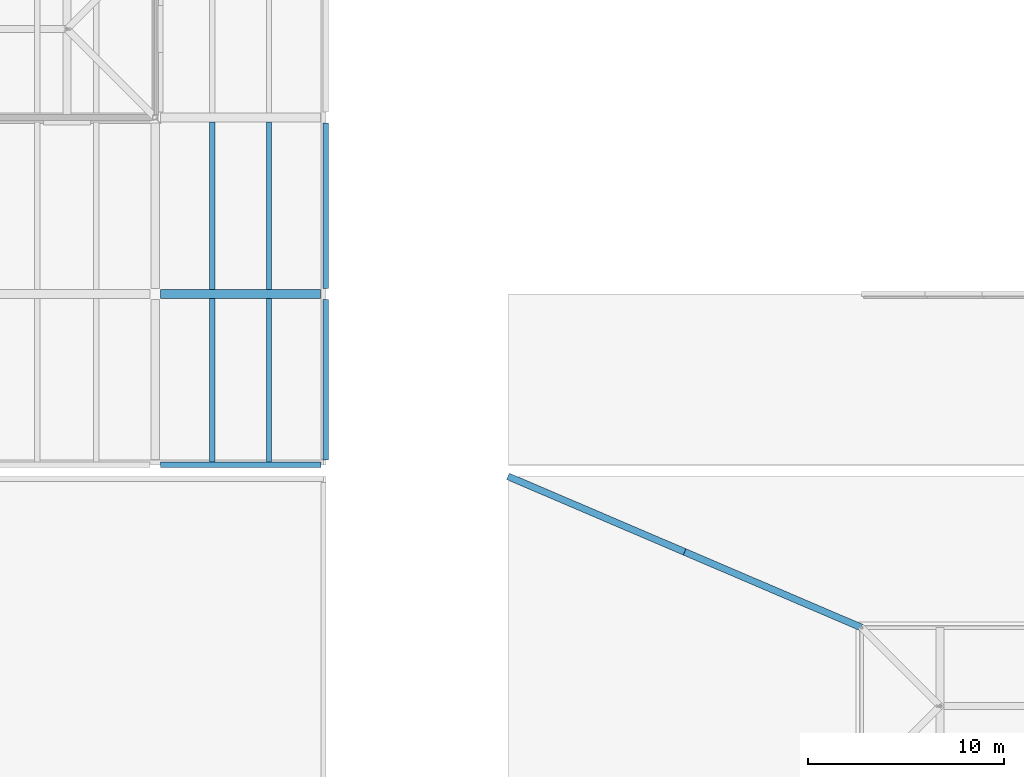
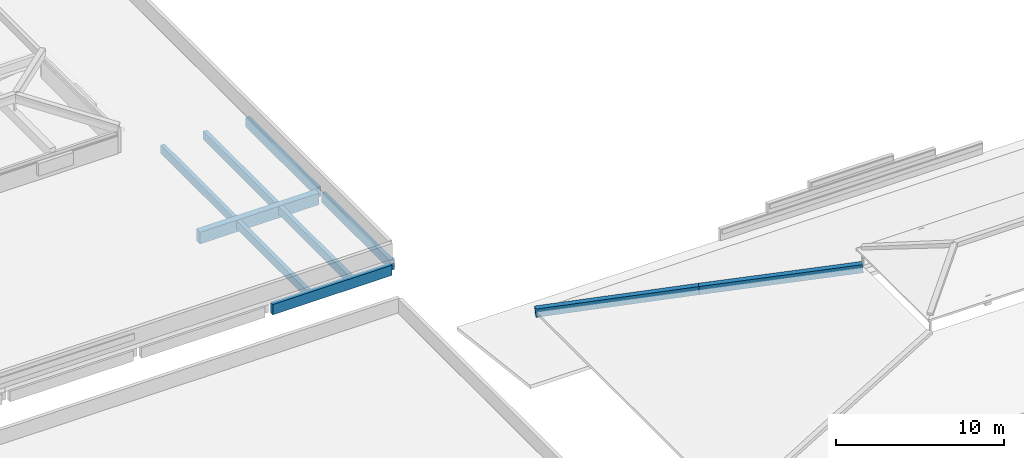
# One storey, part 11 of 56: 10 beams.
"""IFC4 building model written with IfcOpenShell, lengths in metres."""

from ifc_helpers import new_model, si_unit, direction, frame, origin, origin_2d, place, context, subcontext, project, spatial, rectangle, extrude, material, material_profile, profile_set, type_object, element, save


model = new_model("IFC4")

# Units and contexts
model_context = context("Model", 3, precision=1e-05, world=origin(), true_north=direction((0.0, 1.0)))
body_context = subcontext(model_context, "Body", "Model", "MODEL_VIEW")
ifc_project = project(units=[si_unit("LENGTHUNIT", "METRE"), si_unit("AREAUNIT", "SQUARE_METRE"), si_unit("VOLUMEUNIT", "CUBIC_METRE"), si_unit("PLANEANGLEUNIT", "RADIAN"), si_unit("MASSUNIT", "GRAM", prefix="KILO")], contexts=[model_context])

# Site, building, storey
site_placement = place(None, origin())
site = spatial("IfcSite", under=ifc_project, at=site_placement, CompositionType="ELEMENT")
building_placement = place(site_placement, origin())
building = spatial("IfcBuilding", under=site, at=building_placement, Name="Zacnel Wholesale Market", CompositionType="ELEMENT")
storey_placement = place(building_placement, frame((0.0, 0.0, 20.300048828125)))
storey = spatial("IfcBuildingStorey", under=building, at=storey_placement, Name="RF", CompositionType="ELEMENT", Elevation=20.300048828125)

# Beams
ifc_material_1 = material(Name="Concrete C40/50", Category="concrete")
ifc_material_profile_1 = material_profile(ifc_material_1, rectangle(XDim=0.35009765625, YDim=0.60009765625, at=origin_2d()), Name="ARCH RIB 350x600")
ifc_profile_set_1 = profile_set([ifc_material_profile_1], Name="Concrete C40/50")
beam_type_1 = type_object("IfcBeamType", Name="BM-AR600", PredefinedType="USERDEFINED", material=ifc_profile_set_1)
beam_1_placement = place(storey_placement, frame((81.0, 47.699951171875, -6.75), z_axis=(0.916128427297, -0.391884471844, 0.084470500336), x_axis=(0.393290098332, 0.919414432426, 0.0)))
element("IfcBeam", 1, at=beam_1_placement, inside=storey, type_object=beam_type_1, Name="Auction pavilion hip rib 4-1", ObjectType="ARCH RIB", PredefinedType="USERDEFINED", context=body_context, shape_type="SweptSolid", body=[
    extrude(rectangle(XDim=0.35009765625, YDim=0.60009765625, at=origin_2d()), origin(), (0.0, 0.0, 1.0), 9.823974609375),
])
beam_2_placement = place(storey_placement, frame((90.0, 43.85009765625, -5.920166015625), z_axis=(0.91657402276, -0.39209994409, 0.078419988818), x_axis=(0.393311180978, 0.919405413796, 0.0)))
element("IfcBeam", 2, at=beam_2_placement, inside=storey, type_object=beam_type_1, Name="Auction pavilion hip rib 4-2", ObjectType="ARCH RIB", PredefinedType="USERDEFINED", context=body_context, shape_type="SweptSolid", body=[
    extrude(rectangle(XDim=0.35009765625, YDim=0.60009765625, at=origin_2d()), origin(), (0.0, 0.0, 1.0), 9.819091796875),
])
ifc_material_2 = material(Name="Precast concrete C45/55", Category="concrete")
ifc_material_profile_2 = material_profile(ifc_material_2, rectangle(XDim=0.280029296875, YDim=0.60009765625, at=origin_2d()), Name="DT RIB 280x600")
ifc_profile_set_2 = profile_set([ifc_material_profile_2], Name="Precast concrete C45/55")
beam_type_2 = type_object("IfcBeamType", Name="BM-DT600", PredefinedType="JOIST", material=ifc_profile_set_2)
for number, where, z_axis, x_axis, name in (
    (3, (65.89990234375, 48.449951171875, -0.60009765625), (0.0, 1.0, 0.0), (-1.0, 0.0, 0.0), "Precast secondary joist RF-0839"),
    (4, (68.800048828125, 48.449951171875, -0.60009765625), (0.0, 1.0, 0.0), (-1.0, 0.0, 0.0), "Precast secondary joist RF-0840"),
):
    element("IfcBeam", number, at=place(storey_placement, frame(where, z_axis=z_axis, x_axis=x_axis)), inside=storey, type_object=beam_type_2, Name=name, PredefinedType="JOIST", context=body_context, shape_type="SweptSolid", body=[
        extrude(rectangle(XDim=0.280029296875, YDim=0.60009765625, at=origin_2d()), origin(), (0.0, 0.0, 1.0), 8.324951171875),
    ])
for number, where, z_axis, x_axis, name in (
    (5, (65.89990234375, 57.22509765625, -0.60009765625), (0.0, 1.0, 0.0), (-1.0, 0.0, 0.0), "Precast secondary joist RF-0859"),
    (6, (68.800048828125, 57.22509765625, -0.60009765625), (0.0, 1.0, 0.0), (-1.0, 0.0, 0.0), "Precast secondary joist RF-0860"),
):
    element("IfcBeam", number, at=place(storey_placement, frame(where, z_axis=z_axis, x_axis=x_axis)), inside=storey, type_object=beam_type_2, Name=name, PredefinedType="JOIST", context=body_context, shape_type="SweptSolid", body=[
        extrude(rectangle(XDim=0.280029296875, YDim=0.60009765625, at=origin_2d()), origin(), (0.0, 0.0, 1.0), 8.5498046875),
    ])
ifc_material_3 = material(Name="Precast concrete C45/55", Category="concrete")
ifc_material_profile_3 = material_profile(ifc_material_3, rectangle(XDim=0.449951171875, YDim=0.85009765625, at=origin_2d()), Name="PG 450x850")
ifc_profile_set_3 = profile_set([ifc_material_profile_3], Name="Precast concrete C45/55")
beam_type_3 = type_object("IfcBeamType", Name="BM-PG850", PredefinedType="BEAM", material=ifc_profile_set_3)
beam_3_placement = place(storey_placement, frame((63.27490234375, 57.0, -0.72509765625), z_axis=(1.0, 0.0, 0.0), x_axis=(0.0, 1.0, 0.0)))
element("IfcBeam", 7, at=beam_3_placement, inside=storey, type_object=beam_type_3, Name="Precast girder X-1369", PredefinedType="BEAM", context=body_context, shape_type="SweptSolid", body=[
    extrude(rectangle(XDim=0.449951171875, YDim=0.85009765625, at=origin_2d()), origin(), (0.0, 0.0, 1.0), 8.150146484375),
])
ifc_material_4 = material(Name="Precast concrete C45/55", Category="concrete")
ifc_material_profile_4 = material_profile(ifc_material_4, rectangle(XDim=0.280029296875, YDim=0.679931640625, at=origin_2d()), Name="SP 280x680")
ifc_profile_set_4 = profile_set([ifc_material_profile_4], Name="Precast concrete C45/55")
beam_type_4 = type_object("IfcBeamType", Name="BM-SP680", PredefinedType="SPANDREL", material=ifc_profile_set_4)
beam_4_placement = place(storey_placement, frame((71.699951171875, 48.550048828125, -0.64013671875), z_axis=(0.0, 1.0, 0.0), x_axis=(-1.0, 0.0, 0.0)))
element("IfcBeam", 8, at=beam_4_placement, inside=storey, type_object=beam_type_4, Name="Precast girder Y-1486", PredefinedType="SPANDREL", context=body_context, shape_type="SweptSolid", body=[
    extrude(rectangle(XDim=0.280029296875, YDim=0.679931640625, at=origin_2d()), origin(), (0.0, 0.0, 1.0), 8.175048828125),
])
beam_5_placement = place(storey_placement, frame((71.699951171875, 57.27490234375, -0.64013671875), z_axis=(0.0, 1.0, 0.0), x_axis=(-1.0, 0.0, 0.0)))
element("IfcBeam", 9, at=beam_5_placement, inside=storey, type_object=beam_type_4, Name="Precast girder Y-1487", PredefinedType="SPANDREL", context=body_context, shape_type="SweptSolid", body=[
    extrude(rectangle(XDim=0.280029296875, YDim=0.679931640625, at=origin_2d()), origin(), (0.0, 0.0, 1.0), 8.4501953125),
])
ifc_material_5 = material(Name="Precast concrete C45/55", Category="concrete")
ifc_material_profile_5 = material_profile(ifc_material_5, rectangle(XDim=0.300048828125, YDim=0.75, at=origin_2d()), Name="SP 300x750")
ifc_profile_set_5 = profile_set([ifc_material_profile_5], Name="Precast concrete C45/55")
beam_type_5 = type_object("IfcBeamType", Name="BM-SP750", PredefinedType="SPANDREL", material=ifc_profile_set_5)
beam_6_placement = place(storey_placement, frame((63.27490234375, 48.300048828125, -0.675048828125), z_axis=(1.0, 0.0, 0.0), x_axis=(0.0, 1.0, 0.0)))
element("IfcBeam", 10, at=beam_6_placement, inside=storey, type_object=beam_type_5, Name="Precast girder X-1359", PredefinedType="SPANDREL", context=body_context, shape_type="SweptSolid", body=[
    extrude(rectangle(XDim=0.300048828125, YDim=0.75, at=origin_2d()), origin(), (0.0, 0.0, 1.0), 8.175048828125),
])

save(model, "model.ifc")
